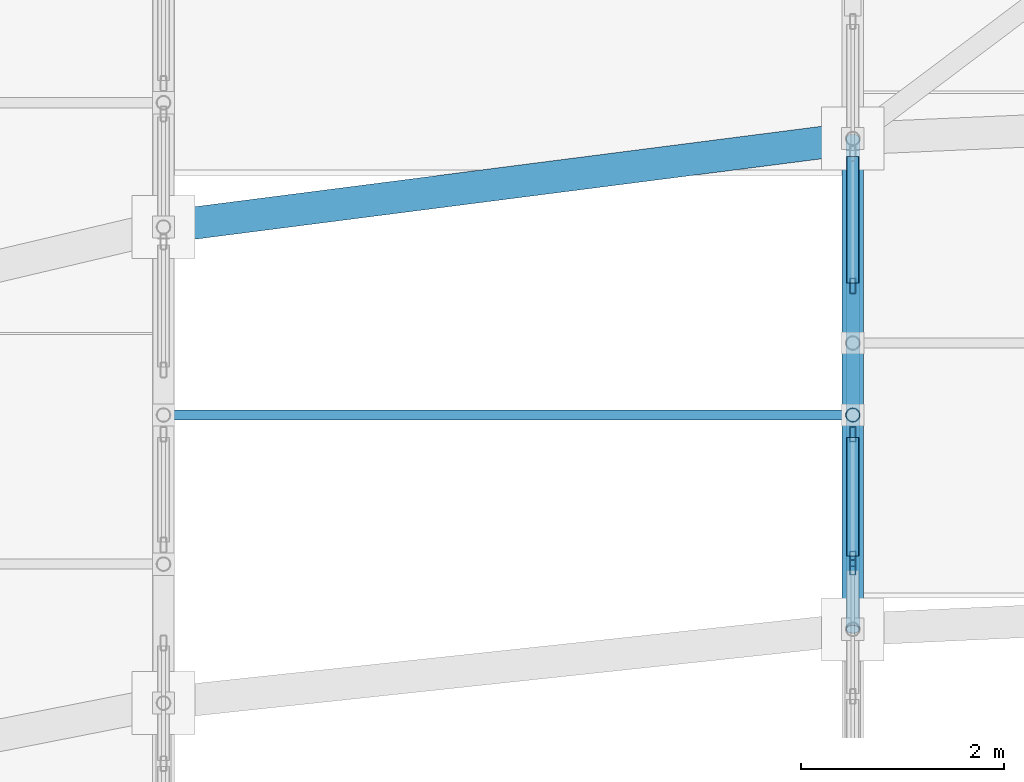
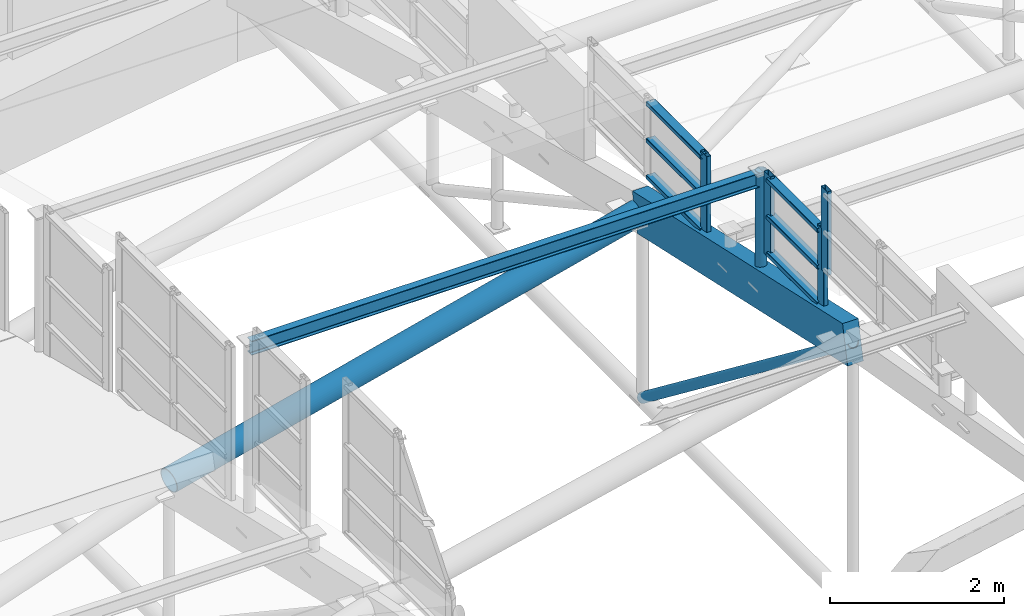
# One storey, part 93 of 188: 15 members, 3 elements without a shape of their own.
"""IFC4 building model written with IfcOpenShell, lengths in metres."""

from ifc_helpers import new_model, si_unit, direction, frame, origin, origin_2d, place, context, subcontext, project, spatial, rectangle, hollow_rectangle, hollow_circle, i_section, extrude, material, layer, layer_set, material_profile, profile_set, type_object, element, aggregate, save


model = new_model("IFC4")

# Units and contexts
model_context = context("Model", 3, precision=1e-05, world=origin(), true_north=direction((0.0, 1.0)))
body_context = subcontext(model_context, "Body", "Model", "MODEL_VIEW")
ifc_project = project(units=[si_unit("LENGTHUNIT", "METRE"), si_unit("AREAUNIT", "SQUARE_METRE"), si_unit("VOLUMEUNIT", "CUBIC_METRE"), si_unit("PLANEANGLEUNIT", "RADIAN"), si_unit("MASSUNIT", "GRAM", prefix="KILO")], contexts=[model_context])

# Site, building, storey
site_placement = place(None, origin())
site = spatial("IfcSite", under=ifc_project, at=site_placement, CompositionType="ELEMENT")
building_placement = place(site_placement, origin())
building = spatial("IfcBuilding", under=site, at=building_placement, Name="Kisaragi Civic Commons", CompositionType="ELEMENT")
storey_placement = place(building_placement, frame((0.0, 0.0, 9.60009765625)))
storey = spatial("IfcBuildingStorey", under=building, at=storey_placement, Name="L02", CompositionType="ELEMENT", Elevation=9.60009765625)

# Curtain wall, member
ifc_material_1 = material(Name="Thermally broken anodized aluminium and low-E double glazing", Category="aluminium")
ifc_layer = layer(ifc_material_1, 0.14990234375, Name="Thermally broken anodized aluminium and low-E double glazing", Category="aluminium")
ifc_layer_set = layer_set([ifc_layer], Name="Thermally broken anodized aluminium and low-E double glazing")
curtain_wall_type = type_object("IfcCurtainWallType", Name="CW-03", PredefinedType="NOTDEFINED", material=ifc_layer_set)
curtain_wall_1_placement = place(storey_placement, origin())
curtain_wall_1 = element("IfcCurtainWall", 1, at=curtain_wall_1_placement, inside=storey, type_object=curtain_wall_type, Name="L02 curtain wall CW-03 CW-CL-V2-198", PredefinedType="NOTDEFINED")
ifc_material_profile_1 = material_profile(ifc_material_1, hollow_rectangle(XDim=0.06005859375, YDim=0.14990234375, WallThickness=0.00390625, InnerFilletRadius=0.00390625, OuterFilletRadius=0.008056640625, at=origin_2d()), Name="CWM-60x150x4", Category="aluminium")
ifc_profile_set_1 = profile_set([ifc_material_profile_1], Name="Thermally broken anodized aluminium and low-E double glazing")
member_type_1 = type_object("IfcMemberType", Name="CWM-01", PredefinedType="MULLION", material=ifc_profile_set_1)
member_1_placement = place(storey_placement, frame((20.39990234375, 104.020263671875, 3.947509765625), z_axis=(0.0, 0.0, 1.0), x_axis=(-1.0, 0.0, 0.0)))
member_1 = element("IfcMember", 2, at=member_1_placement, type_object=member_type_1, Name="CW-03 mullion 3", PredefinedType="MULLION", context=body_context, shape_type="SweptSolid", body=[
    extrude(hollow_rectangle(XDim=0.06005859375, YDim=0.14990234375, WallThickness=0.00390625, InnerFilletRadius=0.00390625, OuterFilletRadius=0.008056640625, at=origin_2d()), origin(), (0.0, 0.0, 1.0), 1.174072265625),
])
aggregate(curtain_wall_1, [member_1])

# Curtain wall, members
curtain_wall_2_placement = place(storey_placement, origin())
curtain_wall_2 = element("IfcCurtainWall", 3, at=curtain_wall_2_placement, inside=storey, type_object=curtain_wall_type, Name="L02 curtain wall CW-03 CW-CL-V2-199", PredefinedType="NOTDEFINED")
member_2_placement = place(storey_placement, frame((20.39990234375, 104.104248046875, 3.379150390625), z_axis=(0.0, 0.0, 1.0), x_axis=(-1.0, 0.0, 0.0)))
member_2 = element("IfcMember", 4, at=member_2_placement, type_object=member_type_1, Name="CW-03 mullion 1", PredefinedType="MULLION", context=body_context, shape_type="SweptSolid", body=[
    extrude(hollow_rectangle(XDim=0.06005859375, YDim=0.14990234375, WallThickness=0.00390625, InnerFilletRadius=0.00390625, OuterFilletRadius=0.008056640625, at=origin_2d()), origin(), (0.0, 0.0, 1.0), 1.15625),
])
member_3_placement = place(storey_placement, frame((20.39990234375, 105.333251953125, 3.379150390625), z_axis=(0.0, 0.0, 1.0), x_axis=(-1.0, 0.0, 0.0)))
member_3 = element("IfcMember", 5, at=member_3_placement, type_object=member_type_1, Name="CW-03 mullion 2", PredefinedType="MULLION", context=body_context, shape_type="SweptSolid", body=[
    extrude(hollow_rectangle(XDim=0.06005859375, YDim=0.14990234375, WallThickness=0.00390625, InnerFilletRadius=0.00390625, OuterFilletRadius=0.008056640625, at=origin_2d()), origin(), (0.0, 0.0, 1.0), 1.15625),
])

# Curtain wall, member
curtain_wall_3_placement = place(storey_placement, origin())
curtain_wall_3 = element("IfcCurtainWall", 6, at=curtain_wall_3_placement, inside=storey, type_object=curtain_wall_type, Name="L02 curtain wall CW-03 CW-CL-V2-200", PredefinedType="NOTDEFINED")
member_4_placement = place(storey_placement, frame((20.39990234375, 106.796875, 2.7822265625), z_axis=(0.0, 0.0, 1.0), x_axis=(-1.0, 0.0, 0.0)))
member_4 = element("IfcMember", 7, at=member_4_placement, type_object=member_type_1, Name="CW-03 mullion 1", PredefinedType="MULLION", context=body_context, shape_type="SweptSolid", body=[
    extrude(hollow_rectangle(XDim=0.06005859375, YDim=0.14990234375, WallThickness=0.00390625, InnerFilletRadius=0.00390625, OuterFilletRadius=0.008056640625, at=origin_2d()), origin(), (0.0, 0.0, 1.0), 1.151611328125),
])

# Member
ifc_material_profile_2 = material_profile(ifc_material_1, hollow_rectangle(XDim=0.1201171875, YDim=0.06005859375, WallThickness=0.00390625, InnerFilletRadius=0.00390625, OuterFilletRadius=0.008056640625, at=origin_2d()), Name="CWT-60x120x4", Category="aluminium")
ifc_profile_set_2 = profile_set([ifc_material_profile_2], Name="Thermally broken anodized aluminium and low-E double glazing")
member_type_2 = type_object("IfcMemberType", Name="CWT-01", PredefinedType="USERDEFINED", material=ifc_profile_set_2)
member_5_placement = place(storey_placement, frame((20.39990234375, 104.13427734375, 3.439208984375), z_axis=(0.0, 1.0, 0.0), x_axis=(-1.0, 0.0, 0.0)))
member_5 = element("IfcMember", 8, at=member_5_placement, type_object=member_type_2, Name="CW-03 transom 1.1", ObjectType="TRANSOM", PredefinedType="USERDEFINED", context=body_context, shape_type="SweptSolid", body=[
    extrude(hollow_rectangle(XDim=0.1201171875, YDim=0.06005859375, WallThickness=0.00390625, InnerFilletRadius=0.00390625, OuterFilletRadius=0.008056640625, at=origin_2d()), origin(), (0.0, 0.0, 1.0), 1.1689453125),
])

member_6_placement = place(storey_placement, frame((20.39990234375, 104.13427734375, 3.957275390625), z_axis=(0.0, 1.0, 0.0), x_axis=(-1.0, 0.0, 0.0)))
member_6 = element("IfcMember", 9, at=member_6_placement, type_object=member_type_2, Name="CW-03 transom 1.2", ObjectType="TRANSOM", PredefinedType="USERDEFINED", context=body_context, shape_type="SweptSolid", body=[
    extrude(hollow_rectangle(XDim=0.1201171875, YDim=0.06005859375, WallThickness=0.00390625, InnerFilletRadius=0.00390625, OuterFilletRadius=0.008056640625, at=origin_2d()), origin(), (0.0, 0.0, 1.0), 1.1689453125),
])

member_7_placement = place(storey_placement, frame((20.39990234375, 104.13427734375, 4.475341796875), z_axis=(0.0, 1.0, 0.0), x_axis=(-1.0, 0.0, 0.0)))
member_7 = element("IfcMember", 10, at=member_7_placement, type_object=member_type_2, Name="CW-03 transom 1.3", ObjectType="TRANSOM", PredefinedType="USERDEFINED", context=body_context, shape_type="SweptSolid", body=[
    extrude(hollow_rectangle(XDim=0.1201171875, YDim=0.06005859375, WallThickness=0.00390625, InnerFilletRadius=0.00390625, OuterFilletRadius=0.008056640625, at=origin_2d()), origin(), (0.0, 0.0, 1.0), 1.1689453125),
])

aggregate(curtain_wall_2, [member_2, member_3, member_5, member_6, member_7])

member_8_placement = place(storey_placement, frame((20.39990234375, 106.826904296875, 2.84228515625), z_axis=(0.0, 1.0, 0.0), x_axis=(-1.0, 0.0, 0.0)))
member_8 = element("IfcMember", 11, at=member_8_placement, type_object=member_type_2, Name="CW-03 transom 1.1", ObjectType="TRANSOM", PredefinedType="USERDEFINED", context=body_context, shape_type="SweptSolid", body=[
    extrude(hollow_rectangle(XDim=0.1201171875, YDim=0.06005859375, WallThickness=0.00390625, InnerFilletRadius=0.00390625, OuterFilletRadius=0.008056640625, at=origin_2d()), origin(), (0.0, 0.0, 1.0), 1.244140625),
])

member_9_placement = place(storey_placement, frame((20.39990234375, 106.826904296875, 3.35791015625), z_axis=(0.0, 1.0, 0.0), x_axis=(-1.0, 0.0, 0.0)))
member_9 = element("IfcMember", 12, at=member_9_placement, type_object=member_type_2, Name="CW-03 transom 1.2", ObjectType="TRANSOM", PredefinedType="USERDEFINED", context=body_context, shape_type="SweptSolid", body=[
    extrude(hollow_rectangle(XDim=0.1201171875, YDim=0.06005859375, WallThickness=0.00390625, InnerFilletRadius=0.00390625, OuterFilletRadius=0.008056640625, at=origin_2d()), origin(), (0.0, 0.0, 1.0), 1.244140625),
])

member_10_placement = place(storey_placement, frame((20.39990234375, 106.826904296875, 3.8740234375), z_axis=(0.0, 1.0, 0.0), x_axis=(-1.0, 0.0, 0.0)))
member_10 = element("IfcMember", 13, at=member_10_placement, type_object=member_type_2, Name="CW-03 transom 1.3", ObjectType="TRANSOM", PredefinedType="USERDEFINED", context=body_context, shape_type="SweptSolid", body=[
    extrude(hollow_rectangle(XDim=0.1201171875, YDim=0.06005859375, WallThickness=0.00390625, InnerFilletRadius=0.00390625, OuterFilletRadius=0.008056640625, at=origin_2d()), origin(), (0.0, 0.0, 1.0), 1.244140625),
])

aggregate(curtain_wall_3, [member_4, member_8, member_9, member_10])

# Members
ifc_material_2 = material(Name="Steel SN490 (SN490B)", Category="steel")
ifc_material_profile_3 = material_profile(ifc_material_2, hollow_circle(Radius=0.1591796875, WallThickness=0.01025390625, at=origin_2d()), Name="CHS-318.5x10.3", Category="steel")
ifc_profile_set_3 = profile_set([ifc_material_profile_3], Name="Steel SN490 (SN490B)")
member_type_3 = type_object("IfcMemberType", Name="GC-03", PredefinedType="CHORD", material=ifc_profile_set_3)
member_11_placement = place(storey_placement, frame((13.60009765625, 107.377685546875, 1.361083984375), z_axis=(0.983525453987, 0.126242406219, 0.129385224164), x_axis=(-0.127312543918, 0.991862649847, 0.0)))
element("IfcMember", 14, at=member_11_placement, inside=storey, type_object=member_type_3, Name="V2 wave gridshell chord GC-03 20", PredefinedType="CHORD", context=body_context, shape_type="SweptSolid", body=[
    extrude(hollow_circle(Radius=0.1591796875, WallThickness=0.01025390625, at=origin_2d()), origin(), (0.0, 0.0, 1.0), 6.913818359375),
])
ifc_material_3 = material(Name="Glulam E120-F330", Category="wood")
ifc_material_profile_4 = material_profile(ifc_material_3, rectangle(XDim=0.2099609375, YDim=0.5400390625, at=origin_2d()), Name="GL-210x540", Category="wood")
ifc_profile_set_4 = profile_set([ifc_material_profile_4], Name="Glulam E120-F330")
member_type_4 = type_object("IfcMemberType", Name="GR-04", PredefinedType="RAFTER", material=ifc_profile_set_4)
member_12_placement = place(storey_placement, frame((20.39990234375, 103.40869140625, 3.32763671875), z_axis=(0.0, 0.976354733106, -0.216174547856), x_axis=(-1.0, 0.0, 0.0)))
element("IfcMember", 15, at=member_12_placement, inside=storey, type_object=member_type_4, Name="V2 glulam arch rib GR-04 30", PredefinedType="RAFTER", context=body_context, shape_type="SweptSolid", body=[
    extrude(rectangle(XDim=0.2099609375, YDim=0.5400390625, at=origin_2d()), origin(), (0.0, 0.0, 1.0), 4.958984375),
])
ifc_material_4 = material(Name="Steel SN400 (SN400B)", Category="steel")
ifc_material_profile_5 = material_profile(ifc_material_4, i_section(OverallWidth=0.10009765625, OverallDepth=0.199951171875, WebThickness=0.005615234375, FlangeThickness=0.008056640625, FilletRadius=0.008056640625, at=origin_2d()), Name="H-200x100x5.5x8", Category="steel")
ifc_profile_set_5 = profile_set([ifc_material_profile_5], Name="Steel SN400 (SN400B)")
member_type_5 = type_object("IfcMemberType", Name="PR-02", PredefinedType="PURLIN", material=ifc_profile_set_5)
member_13_placement = place(storey_placement, frame((13.60009765625, 105.523193359375, 4.3701171875), z_axis=(1.0, 0.0, 0.0), x_axis=(0.0, 1.0, 0.0)))
element("IfcMember", 16, at=member_13_placement, inside=storey, type_object=member_type_5, Name="V2 wave vault steel purlin 22", PredefinedType="PURLIN", context=body_context, shape_type="SweptSolid", body=[
    extrude(i_section(OverallWidth=0.10009765625, OverallDepth=0.199951171875, WebThickness=0.005615234375, FlangeThickness=0.008056640625, FilletRadius=0.008056640625, at=origin_2d()), origin(), (0.0, 0.0, 1.0), 6.7998046875),
])
ifc_material_profile_6 = material_profile(ifc_material_2, hollow_circle(Radius=0.06982421875, WallThickness=0.006103515625, at=origin_2d()), Name="CHS-139.8x6.0", Category="steel")
ifc_profile_set_6 = profile_set([ifc_material_profile_6], Name="Steel SN490 (SN490B)")
member_type_6 = type_object("IfcMemberType", Name="ST-H1", PredefinedType="STRUT", material=ifc_profile_set_6)
member_14_placement = place(storey_placement, frame((20.39990234375, 108.25048828125, -0.385009765625), z_axis=(0.0, -0.793558700412, 0.60849370498), x_axis=(1.0, 0.0, 0.0)))
element("IfcMember", 17, at=member_14_placement, inside=storey, type_object=member_type_6, Name="V2 tied arch truss diagonal web strut 56", PredefinedType="STRUT", context=body_context, shape_type="SweptSolid", body=[
    extrude(hollow_circle(Radius=0.06982421875, WallThickness=0.006103515625, at=origin_2d()), origin(), (0.0, 0.0, 1.0), 6.101318359375),
])
member_15_placement = place(storey_placement, frame((20.39990234375, 105.523193359375, 2.859375), z_axis=(0.0, 0.0, 1.0), x_axis=(1.0, 0.0, 0.0)))
element("IfcMember", 18, at=member_15_placement, inside=storey, type_object=member_type_6, Name="V2 clerestory monitor horizontal tie strut 3.3.6", PredefinedType="STRUT", context=body_context, shape_type="SweptSolid", body=[
    extrude(hollow_circle(Radius=0.06982421875, WallThickness=0.006103515625, at=origin_2d()), origin(), (0.0, 0.0, 1.0), 1.61083984375),
])

save(model, "model.ifc")
